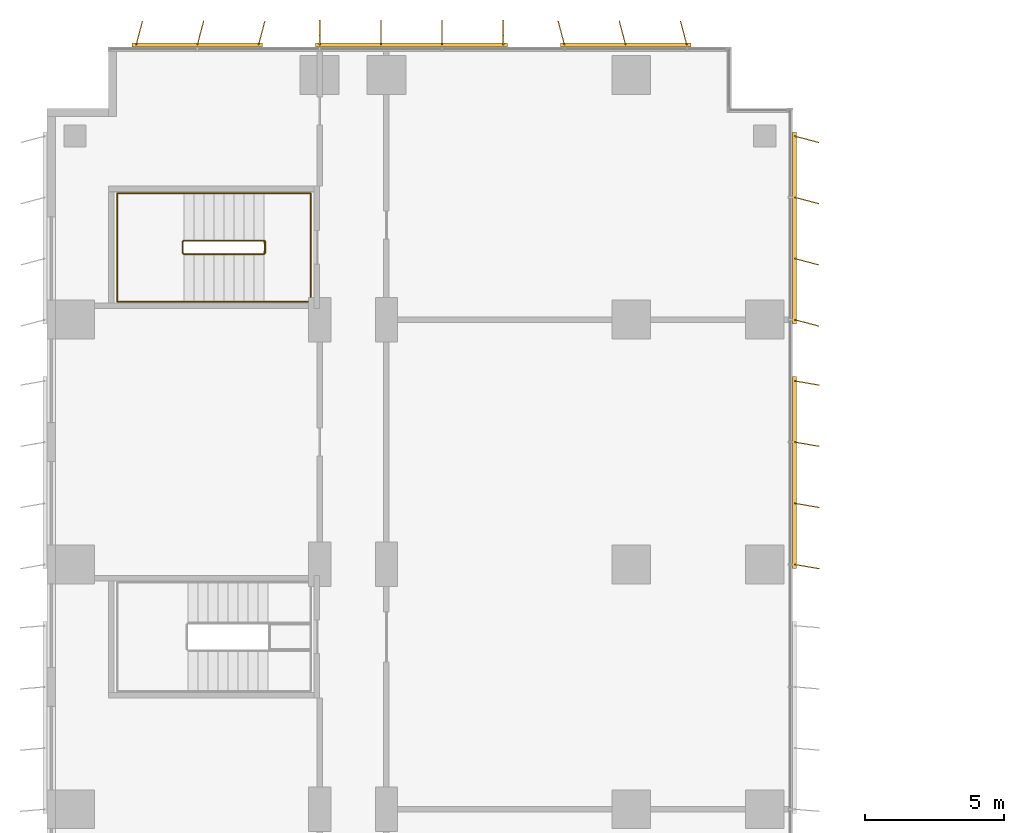
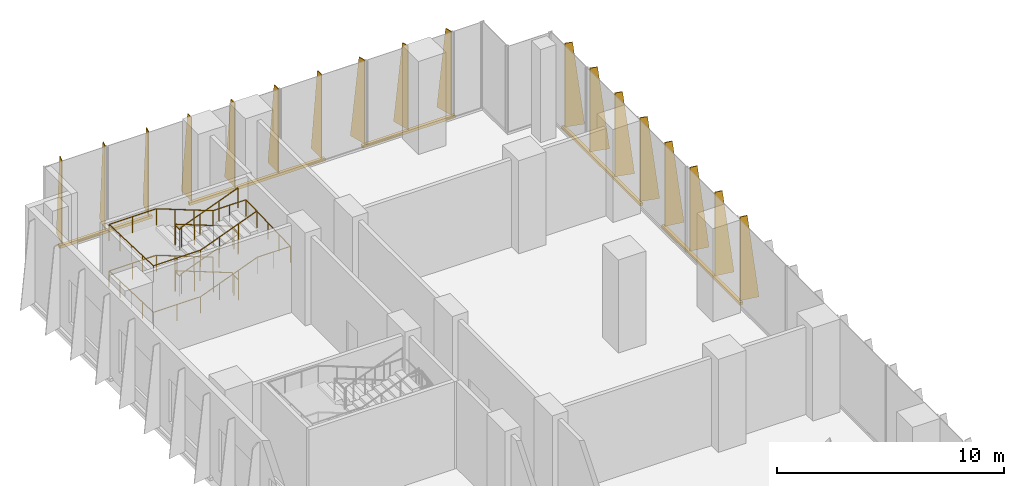
# One storey, part 23 of 23: 5 shading devices, 2 railings.
"""IFC4 building model written with IfcOpenShell, lengths in metres."""

from ifc_helpers import new_model, si_unit, direction, frame, origin, origin_2d, place, context, subcontext, project, spatial, polyline, rectangle, circle, outline, extrude, source, transform, mapped, material, layer, layer_set, type_object, element, save


model = new_model("IFC4")

# Units and contexts
model_context = context("Model", 3, precision=1e-05, world=origin(), true_north=direction((0.0, 1.0)))
body_context = subcontext(model_context, "Body", "Model", "MODEL_VIEW")
ifc_project = project(units=[si_unit("LENGTHUNIT", "METRE"), si_unit("AREAUNIT", "SQUARE_METRE"), si_unit("VOLUMEUNIT", "CUBIC_METRE"), si_unit("PLANEANGLEUNIT", "RADIAN"), si_unit("MASSUNIT", "GRAM", prefix="KILO")], contexts=[model_context])

# Site, building, storey
site_placement = place(None, origin())
site = spatial("IfcSite", under=ifc_project, at=site_placement, CompositionType="ELEMENT")
building_placement = place(site_placement, origin())
building = spatial("IfcBuilding", under=site, at=building_placement, Name="Kemantara Hotel Tower", CompositionType="ELEMENT")
storey_placement = place(building_placement, frame((0.0, 0.0, 71.0)))
storey = spatial("IfcBuildingStorey", under=building, at=storey_placement, Name="L16", CompositionType="ELEMENT", Elevation=71.0)

# Railings
ifc_material_1 = material(Name="Stainless steel balustrade", Category="steel")
railing_type_1 = type_object("IfcRailingType", Name="Stair guard 1100 mm", PredefinedType="GUARDRAIL", material=ifc_material_1)
railing_1_placement = place(storey_placement, frame((7.800048828125, 73.75, 5.0)))
element("IfcRailing", 1, at=railing_1_placement, inside=storey, type_object=railing_type_1, Name="L16 ST6 stair guard 1", PredefinedType="GUARDRAIL", context=body_context, shape_type="SweptSolid", body=[
    extrude(circle(Radius=0.02392578125, at=origin_2d()), frame((0.0, 0.0, 1.076171875), z_axis=(-0.932982310422, 0.0, -0.359922225543), x_axis=(0.0, -1.0, 0.0)), (0.0, 0.0, 1.0), 3.0869140625),
    extrude(circle(Radius=0.02392578125, at=origin_2d()), frame((-2.880126953125, 0.0, -0.03515625), z_axis=(-0.319608697381, 0.321175406682, -0.891457592206), x_axis=(-0.708833529934, -0.705375805398, 0.0)), (0.0, 0.0, 1.0), 0.15576171875),
    extrude(circle(Radius=0.02392578125, at=origin_2d()), frame((-2.929931640625, 0.050048828125, -0.173828125), z_axis=(0.0, 1.0, 0.0), x_axis=(-1.0, 0.0, 0.0)), (0.0, 0.0, 1.0), 0.39990234375),
    extrude(circle(Radius=0.02392578125, at=origin_2d()), frame((-2.929931640625, 0.449951171875, -0.173828125), z_axis=(0.705375805398, 0.708833529934, 0.0), x_axis=(-0.708833529934, 0.705375805398, 0.0)), (0.0, 0.0, 1.0), 0.070556640625),
    extrude(circle(Radius=0.02392578125, at=origin_2d()), frame((-2.880126953125, 0.5, -0.173828125), z_axis=(0.932982310422, 0.0, -0.359922225543), x_axis=(0.0, 1.0, 0.0)), (0.0, 0.0, 1.0), 3.0869140625),
    extrude(circle(Radius=0.02392578125, at=origin_2d()), frame((0.0, 0.5, -1.28515625), z_axis=(0.105686461667, -0.950147067569, -0.293344374089), x_axis=(0.993870574751, 0.110549901152, 0.0)), (0.0, 0.0, 1.0), 0.4736328125),
    extrude(circle(Radius=0.02392578125, at=origin_2d()), frame((0.050048828125, 0.050048828125, -1.423828125), z_axis=(0.0, 1.0, 0.0), x_axis=(-1.0, 0.0, 0.0)), (0.0, 0.0, 1.0), 0.39990234375),
    extrude(circle(Radius=0.02392578125, at=origin_2d()), frame((0.050048828125, 0.449951171875, -1.423828125), z_axis=(-0.110549901152, -0.993870574751, 0.0), x_axis=(0.993870574751, -0.110549901152, 0.0)), (0.0, 0.0, 1.0), 0.45263671875),
    extrude(circle(Radius=0.02392578125, at=origin_2d()), frame((0.0, 0.0, -1.423828125), z_axis=(-0.932982310422, 0.0, -0.359922225543), x_axis=(0.0, -1.0, 0.0)), (0.0, 0.0, 1.0), 3.0869140625),
    extrude(circle(Radius=0.02392578125, at=origin_2d()), frame((-2.880126953125, 0.0, -2.53515625), z_axis=(-0.319608697381, 0.321175406682, -0.891457592206), x_axis=(-0.708833529934, -0.705375805398, 0.0)), (0.0, 0.0, 1.0), 0.15576171875),
    extrude(circle(Radius=0.02392578125, at=origin_2d()), frame((-2.929931640625, 0.050048828125, -2.673828125), z_axis=(0.0, 1.0, 0.0), x_axis=(-1.0, 0.0, 0.0)), (0.0, 0.0, 1.0), 0.39990234375),
    extrude(circle(Radius=0.02392578125, at=origin_2d()), frame((-2.929931640625, 0.449951171875, -2.673828125), z_axis=(0.705375805398, 0.708833529934, 0.0), x_axis=(-0.708833529934, 0.705375805398, 0.0)), (0.0, 0.0, 1.0), 0.070556640625),
    extrude(circle(Radius=0.02392578125, at=origin_2d()), frame((-2.880126953125, 0.5, -2.673828125), z_axis=(0.932982310422, 0.0, -0.359922225543), x_axis=(0.0, 1.0, 0.0)), (0.0, 0.0, 1.0), 3.0869140625),
    extrude(circle(Radius=0.02392578125, at=origin_2d()), frame((0.0, 0.5, -3.78515625), z_axis=(0.321014310373, -0.321014310373, -0.891010451718), x_axis=(0.707106781187, 0.707106781187, 0.0)), (0.0, 0.0, 1.0), 0.156005859375),
    extrude(circle(Radius=0.02392578125, at=origin_2d()), frame((0.050048828125, 0.449951171875, -3.923828125), z_axis=(0.0, -1.0, 0.0), x_axis=(1.0, 0.0, 0.0)), (0.0, 0.0, 1.0), 0.39990234375),
    extrude(circle(Radius=0.02099609375, at=origin_2d()), origin(), (0.0, 0.0, 1.0), 1.052001953125),
    extrude(circle(Radius=0.02099609375, at=origin_2d()), frame((-0.9599609375, 0.0, -0.370361328125)), (0.0, 0.0, 1.0), 1.052001953125),
    extrude(circle(Radius=0.02099609375, at=origin_2d()), frame((-1.920166015625, 0.0, -0.74072265625)), (0.0, 0.0, 1.0), 1.052001953125),
    extrude(circle(Radius=0.02099609375, at=origin_2d()), frame((-2.880126953125, 0.0, -1.111083984375)), (0.0, 0.0, 1.0), 1.052001953125),
    extrude(circle(Radius=0.02099609375, at=origin_2d()), frame((-2.929931640625, 0.050048828125, -1.25)), (0.0, 0.0, 1.0), 1.052001953125),
    extrude(circle(Radius=0.02099609375, at=origin_2d()), frame((-2.929931640625, 0.449951171875, -1.25)), (0.0, 0.0, 1.0), 1.052001953125),
    extrude(circle(Radius=0.02099609375, at=origin_2d()), frame((-2.880126953125, 0.5, -1.25)), (0.0, 0.0, 1.0), 1.052001953125),
    extrude(circle(Radius=0.02099609375, at=origin_2d()), frame((-1.920166015625, 0.5, -1.620361328125)), (0.0, 0.0, 1.0), 1.052001953125),
    extrude(circle(Radius=0.02099609375, at=origin_2d()), frame((-0.9599609375, 0.5, -1.99072265625)), (0.0, 0.0, 1.0), 1.052001953125),
    extrude(circle(Radius=0.02099609375, at=origin_2d()), frame((0.0, 0.5, -2.361083984375)), (0.0, 0.0, 1.0), 1.052001953125),
    extrude(circle(Radius=0.02099609375, at=origin_2d()), frame((0.050048828125, 0.050048828125, -2.5)), (0.0, 0.0, 1.0), 1.052001953125),
    extrude(circle(Radius=0.02099609375, at=origin_2d()), frame((0.050048828125, 0.449951171875, -2.5)), (0.0, 0.0, 1.0), 1.052001953125),
    extrude(circle(Radius=0.02099609375, at=origin_2d()), frame((0.0, 0.0, -2.5)), (0.0, 0.0, 1.0), 1.052001953125),
    extrude(circle(Radius=0.02099609375, at=origin_2d()), frame((-0.9599609375, 0.0, -2.870361328125)), (0.0, 0.0, 1.0), 1.052001953125),
    extrude(circle(Radius=0.02099609375, at=origin_2d()), frame((-1.920166015625, 0.0, -3.24072265625)), (0.0, 0.0, 1.0), 1.052001953125),
    extrude(circle(Radius=0.02099609375, at=origin_2d()), frame((-2.880126953125, 0.0, -3.611083984375)), (0.0, 0.0, 1.0), 1.052001953125),
    extrude(circle(Radius=0.02099609375, at=origin_2d()), frame((-2.929931640625, 0.050048828125, -3.75)), (0.0, 0.0, 1.0), 1.052001953125),
    extrude(circle(Radius=0.02099609375, at=origin_2d()), frame((-2.929931640625, 0.449951171875, -3.75)), (0.0, 0.0, 1.0), 1.052001953125),
    extrude(circle(Radius=0.02099609375, at=origin_2d()), frame((-2.880126953125, 0.5, -3.75)), (0.0, 0.0, 1.0), 1.052001953125),
    extrude(circle(Radius=0.02099609375, at=origin_2d()), frame((-1.920166015625, 0.5, -4.120361328125)), (0.0, 0.0, 1.0), 1.052001953125),
    extrude(circle(Radius=0.02099609375, at=origin_2d()), frame((-0.9599609375, 0.5, -4.49072265625)), (0.0, 0.0, 1.0), 1.052001953125),
    extrude(circle(Radius=0.02099609375, at=origin_2d()), frame((0.0, 0.5, -4.861083984375)), (0.0, 0.0, 1.0), 1.052001953125),
    extrude(circle(Radius=0.02099609375, at=origin_2d()), frame((0.050048828125, 0.449951171875, -5.0)), (0.0, 0.0, 1.0), 1.052001953125),
    extrude(circle(Radius=0.02099609375, at=origin_2d()), frame((0.050048828125, 0.050048828125, -5.0)), (0.0, 0.0, 1.0), 1.052001953125),
])
railing_type_2 = type_object("IfcRailingType", Name="Stair handrail 900 mm", PredefinedType="HANDRAIL", material=ifc_material_1)
railing_2_placement = place(storey_placement, frame((7.800048828125, 75.949951171875, 0.138916015625)))
element("IfcRailing", 2, at=railing_2_placement, inside=storey, type_object=railing_type_2, Name="L16 ST6 stair handrail 1", PredefinedType="HANDRAIL", context=body_context, shape_type="SweptSolid", body=[
    extrude(circle(Radius=0.02392578125, at=origin_2d()), frame((0.0, 0.0, 0.8759765625), z_axis=(-0.932982310422, 0.0, 0.359922225543), x_axis=(0.0, -1.0, 0.0)), (0.0, 0.0, 1.0), 3.0869140625),
    extrude(circle(Radius=0.02392578125, at=origin_2d()), frame((-2.880126953125, 0.0, 1.98681640625), z_axis=(-1.0, 0.0, 0.0), x_axis=(0.0, -1.0, 0.0)), (0.0, 0.0, 1.0), 2.39990234375),
    extrude(circle(Radius=0.02392578125, at=origin_2d()), frame((-5.280029296875, 0.0, 1.98681640625), z_axis=(0.0, -0.999366197222, 0.035597806825), x_axis=(1.0, 0.0, 0.0)), (0.0, 0.0, 1.0), 3.90234375),
    extrude(circle(Radius=0.02392578125, at=origin_2d()), frame((-5.280029296875, -3.89990234375, 2.1259765625), z_axis=(1.0, 0.0, 0.0), x_axis=(0.0, 1.0, 0.0)), (0.0, 0.0, 1.0), 2.39990234375),
    extrude(circle(Radius=0.02392578125, at=origin_2d()), frame((-2.880126953125, -3.89990234375, 2.1259765625), z_axis=(0.932982310422, 0.0, 0.359922225543), x_axis=(0.0, 1.0, 0.0)), (0.0, 0.0, 1.0), 3.0869140625),
    extrude(circle(Radius=0.02392578125, at=origin_2d()), frame((0.0, -3.89990234375, 3.23681640625), z_axis=(1.0, 0.0, 0.0), x_axis=(0.0, 1.0, 0.0)), (0.0, 0.0, 1.0), 1.679931640625),
    extrude(circle(Radius=0.02392578125, at=origin_2d()), frame((1.679931640625, -3.89990234375, 3.23681640625), z_axis=(0.0, 0.999366197222, 0.035597806825), x_axis=(-1.0, 0.0, 0.0)), (0.0, 0.0, 1.0), 3.90234375),
    extrude(circle(Radius=0.02392578125, at=origin_2d()), frame((1.679931640625, 0.0, 3.3759765625), z_axis=(-1.0, 0.0, 0.0), x_axis=(0.0, -1.0, 0.0)), (0.0, 0.0, 1.0), 1.679931640625),
    extrude(circle(Radius=0.02392578125, at=origin_2d()), frame((0.0, 0.0, 3.3759765625), z_axis=(-0.932982310422, 0.0, 0.359922225543), x_axis=(0.0, -1.0, 0.0)), (0.0, 0.0, 1.0), 3.0869140625),
    extrude(circle(Radius=0.02392578125, at=origin_2d()), frame((-2.880126953125, 0.0, 4.48681640625), z_axis=(-1.0, 0.0, 0.0), x_axis=(0.0, -1.0, 0.0)), (0.0, 0.0, 1.0), 2.39990234375),
    extrude(circle(Radius=0.02392578125, at=origin_2d()), frame((-5.280029296875, 0.0, 4.48681640625), z_axis=(0.0, -0.999366197222, 0.035597806825), x_axis=(1.0, 0.0, 0.0)), (0.0, 0.0, 1.0), 3.90234375),
    extrude(circle(Radius=0.02392578125, at=origin_2d()), frame((-5.280029296875, -3.89990234375, 4.6259765625), z_axis=(1.0, 0.0, 0.0), x_axis=(0.0, 1.0, 0.0)), (0.0, 0.0, 1.0), 2.39990234375),
    extrude(circle(Radius=0.02392578125, at=origin_2d()), frame((-2.880126953125, -3.89990234375, 4.6259765625), z_axis=(0.932982310422, 0.0, 0.359922225543), x_axis=(0.0, 1.0, 0.0)), (0.0, 0.0, 1.0), 3.0869140625),
    extrude(circle(Radius=0.02099609375, at=origin_2d()), origin(), (0.0, 0.0, 1.0), 0.851806640625),
    extrude(circle(Radius=0.02099609375, at=origin_2d()), frame((-0.9599609375, 0.0, 0.370361328125)), (0.0, 0.0, 1.0), 0.851806640625),
    extrude(circle(Radius=0.02099609375, at=origin_2d()), frame((-1.920166015625, 0.0, 0.74072265625)), (0.0, 0.0, 1.0), 0.851806640625),
    extrude(circle(Radius=0.02099609375, at=origin_2d()), frame((-2.880126953125, 0.0, 1.111083984375)), (0.0, 0.0, 1.0), 0.851806640625),
    extrude(circle(Radius=0.02099609375, at=origin_2d()), frame((-4.080078125, 0.0, 1.111083984375)), (0.0, 0.0, 1.0), 0.851806640625),
    extrude(circle(Radius=0.02099609375, at=origin_2d()), frame((-5.280029296875, 0.0, 1.111083984375)), (0.0, 0.0, 1.0), 0.851806640625),
    extrude(circle(Radius=0.02099609375, at=origin_2d()), frame((-5.280029296875, -0.97509765625, 1.145751953125)), (0.0, 0.0, 1.0), 0.851806640625),
    extrude(circle(Radius=0.02099609375, at=origin_2d()), frame((-5.280029296875, -1.949951171875, 1.1806640625)), (0.0, 0.0, 1.0), 0.851806640625),
    extrude(circle(Radius=0.02099609375, at=origin_2d()), frame((-5.280029296875, -2.9248046875, 1.21533203125)), (0.0, 0.0, 1.0), 0.851806640625),
    extrude(circle(Radius=0.02099609375, at=origin_2d()), frame((-5.280029296875, -3.89990234375, 1.25)), (0.0, 0.0, 1.0), 0.851806640625),
    extrude(circle(Radius=0.02099609375, at=origin_2d()), frame((-4.080078125, -3.89990234375, 1.25)), (0.0, 0.0, 1.0), 0.851806640625),
    extrude(circle(Radius=0.02099609375, at=origin_2d()), frame((-2.880126953125, -3.89990234375, 1.25)), (0.0, 0.0, 1.0), 0.851806640625),
    extrude(circle(Radius=0.02099609375, at=origin_2d()), frame((-1.920166015625, -3.89990234375, 1.620361328125)), (0.0, 0.0, 1.0), 0.851806640625),
    extrude(circle(Radius=0.02099609375, at=origin_2d()), frame((-0.9599609375, -3.89990234375, 1.99072265625)), (0.0, 0.0, 1.0), 0.851806640625),
    extrude(circle(Radius=0.02099609375, at=origin_2d()), frame((0.0, -3.89990234375, 2.361083984375)), (0.0, 0.0, 1.0), 0.851806640625),
    extrude(circle(Radius=0.02099609375, at=origin_2d()), frame((0.83984375, -3.89990234375, 2.361083984375)), (0.0, 0.0, 1.0), 0.851806640625),
    extrude(circle(Radius=0.02099609375, at=origin_2d()), frame((1.679931640625, -3.89990234375, 2.361083984375)), (0.0, 0.0, 1.0), 0.851806640625),
    extrude(circle(Radius=0.02099609375, at=origin_2d()), frame((1.679931640625, -2.9248046875, 2.395751953125)), (0.0, 0.0, 1.0), 0.851806640625),
    extrude(circle(Radius=0.02099609375, at=origin_2d()), frame((1.679931640625, -1.949951171875, 2.4306640625)), (0.0, 0.0, 1.0), 0.851806640625),
    extrude(circle(Radius=0.02099609375, at=origin_2d()), frame((1.679931640625, -0.97509765625, 2.46533203125)), (0.0, 0.0, 1.0), 0.851806640625),
    extrude(circle(Radius=0.02099609375, at=origin_2d()), frame((1.679931640625, 0.0, 2.5)), (0.0, 0.0, 1.0), 0.851806640625),
    extrude(circle(Radius=0.02099609375, at=origin_2d()), frame((0.83984375, 0.0, 2.5)), (0.0, 0.0, 1.0), 0.851806640625),
    extrude(circle(Radius=0.02099609375, at=origin_2d()), frame((0.0, 0.0, 2.5)), (0.0, 0.0, 1.0), 0.851806640625),
    extrude(circle(Radius=0.02099609375, at=origin_2d()), frame((-0.9599609375, 0.0, 2.870361328125)), (0.0, 0.0, 1.0), 0.851806640625),
    extrude(circle(Radius=0.02099609375, at=origin_2d()), frame((-1.920166015625, 0.0, 3.24072265625)), (0.0, 0.0, 1.0), 0.851806640625),
    extrude(circle(Radius=0.02099609375, at=origin_2d()), frame((-2.880126953125, 0.0, 3.611083984375)), (0.0, 0.0, 1.0), 0.851806640625),
    extrude(circle(Radius=0.02099609375, at=origin_2d()), frame((-4.080078125, 0.0, 3.611083984375)), (0.0, 0.0, 1.0), 0.851806640625),
    extrude(circle(Radius=0.02099609375, at=origin_2d()), frame((-5.280029296875, 0.0, 3.611083984375)), (0.0, 0.0, 1.0), 0.851806640625),
    extrude(circle(Radius=0.02099609375, at=origin_2d()), frame((-5.280029296875, -0.97509765625, 3.645751953125)), (0.0, 0.0, 1.0), 0.851806640625),
    extrude(circle(Radius=0.02099609375, at=origin_2d()), frame((-5.280029296875, -1.949951171875, 3.6806640625)), (0.0, 0.0, 1.0), 0.851806640625),
    extrude(circle(Radius=0.02099609375, at=origin_2d()), frame((-5.280029296875, -2.9248046875, 3.71533203125)), (0.0, 0.0, 1.0), 0.851806640625),
    extrude(circle(Radius=0.02099609375, at=origin_2d()), frame((-5.280029296875, -3.89990234375, 3.75)), (0.0, 0.0, 1.0), 0.851806640625),
    extrude(circle(Radius=0.02099609375, at=origin_2d()), frame((-4.080078125, -3.89990234375, 3.75)), (0.0, 0.0, 1.0), 0.851806640625),
    extrude(circle(Radius=0.02099609375, at=origin_2d()), frame((-2.880126953125, -3.89990234375, 3.75)), (0.0, 0.0, 1.0), 0.851806640625),
    extrude(circle(Radius=0.02099609375, at=origin_2d()), frame((-1.920166015625, -3.89990234375, 4.120361328125)), (0.0, 0.0, 1.0), 0.851806640625),
    extrude(circle(Radius=0.02099609375, at=origin_2d()), frame((-0.9599609375, -3.89990234375, 4.49072265625)), (0.0, 0.0, 1.0), 0.851806640625),
    extrude(circle(Radius=0.02099609375, at=origin_2d()), frame((0.0, -3.89990234375, 4.861083984375)), (0.0, 0.0, 1.0), 0.851806640625),
])

# Shading devices
ifc_material_2 = material(Name="Perforated aluminium plate 4 mm bronze anodised", Category="aluminium")
ifc_layer_1 = layer(ifc_material_2, 0.0400390625)
ifc_layer_set_1 = layer_set([ifc_layer_1], Name="Perforated aluminium plate 4 mm bronze anodised")
shading_device_type_1 = type_object("IfcShadingDeviceType", Name="SCREEN FIN CASSETTE, 3 BLADES AT -15.0 DEG, 4500 HIGH", PredefinedType="USERDEFINED", material=ifc_layer_set_1)
shared_shape_1 = source(origin(), body_context, "Body", "SweptSolid", [
    extrude(rectangle(XDim=4.699951171875, YDim=0.14990234375, at=origin_2d()), frame((2.199951171875, -0.074951171875, -0.14990234375), z_axis=(0.0, 0.0, 1.0), x_axis=(1.0, 0.0, 0.0)), (0.0, 0.0, 1.0), 0.14990234375),
    extrude(outline(polyline([(0.0, 0.0), (0.89990234375, 0.0), (0.35009765625, 4.5), (0.0, 4.5), (0.0, 0.0)])), frame((0.019287109375, -0.080078125, 0.0), z_axis=(-0.966437683387, 0.256901156343, 0.0), x_axis=(-0.256901156343, -0.966437683387, 0.0)), (0.0, 0.0, 1.0), 0.039794921875),
    extrude(outline(polyline([(0.0, 0.0), (0.89990234375, 0.0), (0.35009765625, 4.5), (0.0, 4.5), (0.0, 0.0)])), frame((2.21923828125, -0.080078125, 0.0), z_axis=(-0.966437683387, 0.256901156343, 0.0), x_axis=(-0.256901156343, -0.966437683387, 0.0)), (0.0, 0.0, 1.0), 0.039794921875),
    extrude(outline(polyline([(0.0, 0.0), (0.89990234375, 0.0), (0.35009765625, 4.5), (0.0, 4.5), (0.0, 0.0)])), frame((4.41943359375, -0.080078125, 0.0), z_axis=(-0.966837822169, 0.255391122837, 0.0), x_axis=(-0.255391122837, -0.966837822169, 0.0)), (0.0, 0.0, 1.0), 0.0400390625),
])
shading_device_1_placement = place(storey_placement, frame((7.60009765625, 81.199951171875, 0.10009765625), z_axis=(0.0, 0.0, 1.0), x_axis=(-1.0, 0.0, 0.0)))
element("IfcShadingDevice", 3, at=shading_device_1_placement, inside=storey, type_object=shading_device_type_1, Name="SCREEN FIN CASSETTE L16 T1-R11-3", ObjectType="SCREEN FIN", PredefinedType="USERDEFINED", context=body_context, shape_type="MappedRepresentation", body=[
    mapped(shared_shape_1, transform((0.0, 0.0, 0.0))),
])
ifc_layer_2 = layer(ifc_material_2, 0.0400390625)
ifc_layer_set_2 = layer_set([ifc_layer_2], Name="Perforated aluminium plate 4 mm bronze anodised")
shading_device_type_2 = type_object("IfcShadingDeviceType", Name="SCREEN FIN CASSETTE, 4 BLADES AT -10.0 DEG, 4500 HIGH", PredefinedType="USERDEFINED", material=ifc_layer_set_2)
shared_shape_2 = source(origin(), body_context, "Body", "SweptSolid", [
    extrude(rectangle(XDim=6.89990234375, YDim=0.14990234375, at=origin_2d()), frame((3.300048828125, -0.074951171875, -0.14990234375), z_axis=(0.0, 0.0, 1.0), x_axis=(1.0, 0.0, 0.0)), (0.0, 0.0, 1.0), 0.14990234375),
    extrude(outline(polyline([(0.0, 0.0), (0.89990234375, 0.0), (0.35009765625, 4.5), (0.0, 4.5), (0.0, 0.0)])), frame((0.019775390625, -0.078369140625, 0.0), z_axis=(-0.985389793052, 0.170314285219, 0.0), x_axis=(-0.170314285219, -0.985389793052, 0.0)), (0.0, 0.0, 1.0), 0.0400390625),
    extrude(outline(polyline([(0.0, 0.0), (0.89990234375, 0.0), (0.35009765625, 4.5), (0.0, 4.5), (0.0, 0.0)])), frame((2.2197265625, -0.078369140625, 0.0), z_axis=(-0.98521175482, 0.171341174751, 0.0), x_axis=(-0.171341174751, -0.98521175482, 0.0)), (0.0, 0.0, 1.0), 0.039794921875),
    extrude(outline(polyline([(0.0, 0.0), (0.89990234375, 0.0), (0.35009765625, 4.5), (0.0, 4.5), (0.0, 0.0)])), frame((4.419677734375, -0.078369140625, 0.0), z_axis=(-0.98521175482, 0.171341174751, 0.0), x_axis=(-0.171341174751, -0.98521175482, 0.0)), (0.0, 0.0, 1.0), 0.039794921875),
    extrude(outline(polyline([(0.0, 0.0), (0.89990234375, 0.0), (0.35009765625, 4.5), (0.0, 4.5), (0.0, 0.0)])), frame((6.61962890625, -0.078369140625, 0.0), z_axis=(-0.98521175482, 0.171341174751, 0.0), x_axis=(-0.171341174751, -0.98521175482, 0.0)), (0.0, 0.0, 1.0), 0.039794921875),
])
shading_device_2_placement = place(storey_placement, frame((26.800048828125, 62.60009765625, 0.10009765625), z_axis=(0.0, 0.0, 1.0), x_axis=(0.0, 1.0, 0.0)))
element("IfcShadingDevice", 4, at=shading_device_2_placement, inside=storey, type_object=shading_device_type_2, Name="SCREEN FIN CASSETTE L16 T1-R08-5", ObjectType="SCREEN FIN", PredefinedType="USERDEFINED", context=body_context, shape_type="MappedRepresentation", body=[
    mapped(shared_shape_2, transform((0.0, 0.0, 0.0))),
])
ifc_layer_3 = layer(ifc_material_2, 0.0400390625)
ifc_layer_set_3 = layer_set([ifc_layer_3], Name="Perforated aluminium plate 4 mm bronze anodised")
shading_device_type_3 = type_object("IfcShadingDeviceType", Name="SCREEN FIN CASSETTE, 4 BLADES AT +0.0 DEG, 4500 HIGH", PredefinedType="USERDEFINED", material=ifc_layer_set_3)
shared_shape_3 = source(origin(), body_context, "Body", "SweptSolid", [
    extrude(rectangle(XDim=6.89990234375, YDim=0.14990234375, at=origin_2d()), frame((3.300048828125, -0.074951171875, -0.14990234375), z_axis=(0.0, 0.0, 1.0), x_axis=(1.0, 0.0, 0.0)), (0.0, 0.0, 1.0), 0.14990234375),
    extrude(outline(polyline([(0.0, 0.0), (0.89990234375, 0.0), (0.35009765625, 4.5), (0.0, 4.5), (0.0, 0.0)])), frame((0.02001953125, -0.074951171875, 0.0), z_axis=(-1.0, 0.0, 0.0), x_axis=(0.0, -1.0, 0.0)), (0.0, 0.0, 1.0), 0.0400390625),
    extrude(outline(polyline([(0.0, 0.0), (0.89990234375, 0.0), (0.35009765625, 4.5), (0.0, 4.5), (0.0, 0.0)])), frame((2.219970703125, -0.074951171875, 0.0), z_axis=(-1.0, 0.0, 0.0), x_axis=(0.0, -1.0, 0.0)), (0.0, 0.0, 1.0), 0.0400390625),
    extrude(outline(polyline([(0.0, 0.0), (0.89990234375, 0.0), (0.35009765625, 4.5), (0.0, 4.5), (0.0, 0.0)])), frame((4.419921875, -0.074951171875, 0.0), z_axis=(-1.0, 0.0, 0.0), x_axis=(0.0, -1.0, 0.0)), (0.0, 0.0, 1.0), 0.0400390625),
    extrude(outline(polyline([(0.0, 0.0), (0.89990234375, 0.0), (0.35009765625, 4.5), (0.0, 4.5), (0.0, 0.0)])), frame((6.6201171875, -0.074951171875, 0.0), z_axis=(-1.0, 0.0, 0.0), x_axis=(0.0, -1.0, 0.0)), (0.0, 0.0, 1.0), 0.0400390625),
])
shading_device_3_placement = place(storey_placement, frame((16.39990234375, 81.199951171875, 0.10009765625), z_axis=(0.0, 0.0, 1.0), x_axis=(-1.0, 0.0, 0.0)))
element("IfcShadingDevice", 5, at=shading_device_3_placement, inside=storey, type_object=shading_device_type_3, Name="SCREEN FIN CASSETTE L16 T1-R11-2", ObjectType="SCREEN FIN", PredefinedType="USERDEFINED", context=body_context, shape_type="MappedRepresentation", body=[
    mapped(shared_shape_3, transform((0.0, 0.0, 0.0))),
])
ifc_layer_4 = layer(ifc_material_2, 0.0400390625)
ifc_layer_set_4 = layer_set([ifc_layer_4], Name="Perforated aluminium plate 4 mm bronze anodised")
shading_device_type_4 = type_object("IfcShadingDeviceType", Name="SCREEN FIN CASSETTE, 3 BLADES AT +15.0 DEG, 4500 HIGH", PredefinedType="USERDEFINED", material=ifc_layer_set_4)
shared_shape_4 = source(origin(), body_context, "Body", "SweptSolid", [
    extrude(rectangle(XDim=4.699951171875, YDim=0.14990234375, at=origin_2d()), frame((2.199951171875, -0.074951171875, -0.14990234375), z_axis=(0.0, 0.0, 1.0), x_axis=(1.0, 0.0, 0.0)), (0.0, 0.0, 1.0), 0.14990234375),
    extrude(outline(polyline([(0.0, 0.0), (0.89990234375, 0.0), (0.35009765625, 4.5), (0.0, 4.5), (0.0, 0.0)])), frame((0.019287109375, -0.06982421875, 0.0), z_axis=(-0.966437683387, -0.256901156343, 0.0), x_axis=(0.256901156343, -0.966437683387, 0.0)), (0.0, 0.0, 1.0), 0.039794921875),
    extrude(outline(polyline([(0.0, 0.0), (0.89990234375, 0.0), (0.35009765625, 4.5), (0.0, 4.5), (0.0, 0.0)])), frame((2.21923828125, -0.06982421875, 0.0), z_axis=(-0.966437683387, -0.256901156343, 0.0), x_axis=(0.256901156343, -0.966437683387, 0.0)), (0.0, 0.0, 1.0), 0.039794921875),
    extrude(outline(polyline([(0.0, 0.0), (0.89990234375, 0.0), (0.35009765625, 4.5), (0.0, 4.5), (0.0, 0.0)])), frame((4.41943359375, -0.06982421875, 0.0), z_axis=(-0.966837822169, -0.255391122837, 0.0), x_axis=(0.255391122837, -0.966837822169, 0.0)), (0.0, 0.0, 1.0), 0.0400390625),
])
shading_device_4_placement = place(storey_placement, frame((23.0, 81.199951171875, 0.10009765625), z_axis=(0.0, 0.0, 1.0), x_axis=(-1.0, 0.0, 0.0)))
element("IfcShadingDevice", 6, at=shading_device_4_placement, inside=storey, type_object=shading_device_type_4, Name="SCREEN FIN CASSETTE L16 T1-R11-1", ObjectType="SCREEN FIN", PredefinedType="USERDEFINED", context=body_context, shape_type="MappedRepresentation", body=[
    mapped(shared_shape_4, transform((0.0, 0.0, 0.0))),
])
ifc_layer_5 = layer(ifc_material_2, 0.0400390625)
ifc_layer_set_5 = layer_set([ifc_layer_5], Name="Perforated aluminium plate 4 mm bronze anodised")
shading_device_type_5 = type_object("IfcShadingDeviceType", Name="SCREEN FIN CASSETTE, 4 BLADES AT -15.0 DEG, 4500 HIGH", PredefinedType="USERDEFINED", material=ifc_layer_set_5)
shared_shape_5 = source(origin(), body_context, "Body", "SweptSolid", [
    extrude(rectangle(XDim=6.89990234375, YDim=0.14990234375, at=origin_2d()), frame((3.300048828125, -0.074951171875, -0.14990234375), z_axis=(0.0, 0.0, 1.0), x_axis=(1.0, 0.0, 0.0)), (0.0, 0.0, 1.0), 0.14990234375),
    extrude(outline(polyline([(0.0, 0.0), (0.89990234375, 0.0), (0.35009765625, 4.5), (0.0, 4.5), (0.0, 0.0)])), frame((0.019287109375, -0.080078125, 0.0), z_axis=(-0.966437683387, 0.256901156343, 0.0), x_axis=(-0.256901156343, -0.966437683387, 0.0)), (0.0, 0.0, 1.0), 0.039794921875),
    extrude(outline(polyline([(0.0, 0.0), (0.89990234375, 0.0), (0.35009765625, 4.5), (0.0, 4.5), (0.0, 0.0)])), frame((2.21923828125, -0.080078125, 0.0), z_axis=(-0.966437683387, 0.256901156343, 0.0), x_axis=(-0.256901156343, -0.966437683387, 0.0)), (0.0, 0.0, 1.0), 0.039794921875),
    extrude(outline(polyline([(0.0, 0.0), (0.89990234375, 0.0), (0.35009765625, 4.5), (0.0, 4.5), (0.0, 0.0)])), frame((4.41943359375, -0.080078125, 0.0), z_axis=(-0.966837822169, 0.255391122837, 0.0), x_axis=(-0.255391122837, -0.966837822169, 0.0)), (0.0, 0.0, 1.0), 0.0400390625),
    extrude(outline(polyline([(0.0, 0.0), (0.89990234375, 0.0), (0.35009765625, 4.5), (0.0, 4.5), (0.0, 0.0)])), frame((6.619384765625, -0.080078125, 0.0), z_axis=(-0.966837822169, 0.255391122837, 0.0), x_axis=(-0.255391122837, -0.966837822169, 0.0)), (0.0, 0.0, 1.0), 0.0400390625),
])
shading_device_5_placement = place(storey_placement, frame((26.800048828125, 71.39990234375, 0.10009765625), z_axis=(0.0, 0.0, 1.0), x_axis=(0.0, 1.0, 0.0)))
element("IfcShadingDevice", 7, at=shading_device_5_placement, inside=storey, type_object=shading_device_type_5, Name="SCREEN FIN CASSETTE L16 T1-R08-6", ObjectType="SCREEN FIN", PredefinedType="USERDEFINED", context=body_context, shape_type="MappedRepresentation", body=[
    mapped(shared_shape_5, transform((0.0, 0.0, 0.0))),
])

save(model, "model.ifc")
